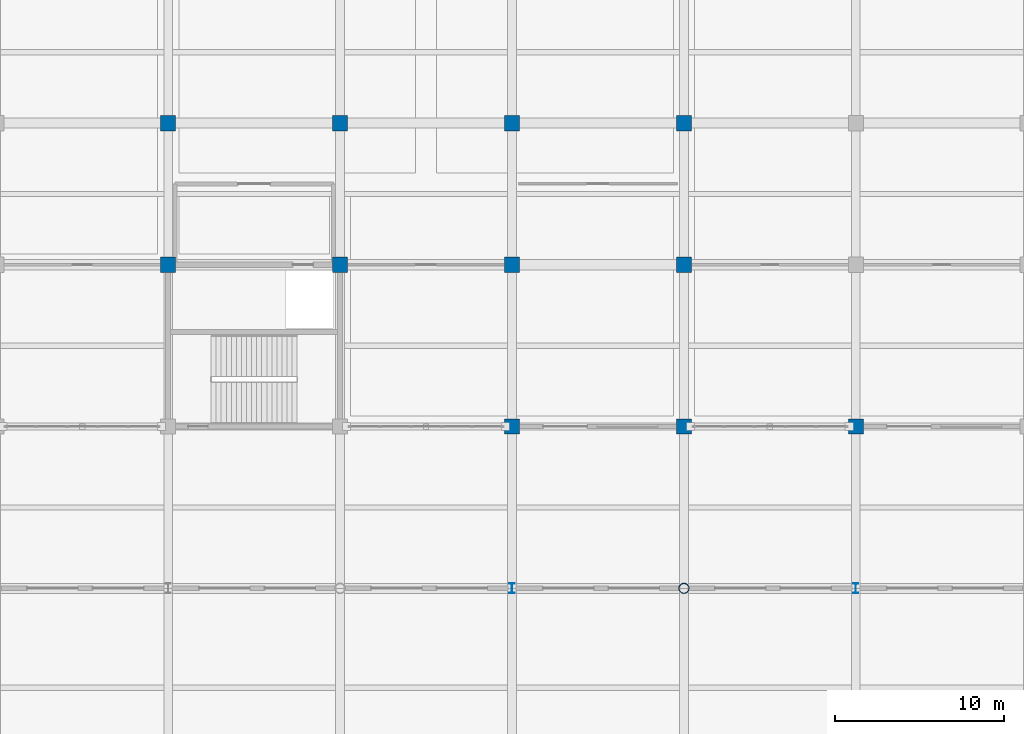
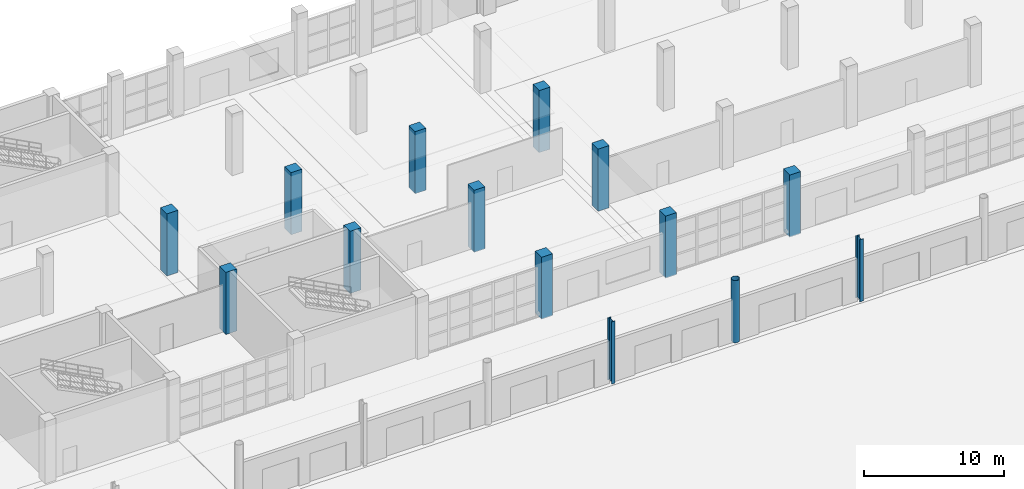
# One storey, part 7 of 124: 14 columns.
"""IFC4 building model written with IfcOpenShell, lengths in metres."""

from ifc_helpers import new_model, si_unit, direction, frame, origin, origin_2d, place, context, subcontext, project, spatial, rectangle, hollow_circle, i_section, extrude, material, material_profile, profile_set, type_object, element, save


model = new_model("IFC4")

# Units and contexts
model_context = context("Model", 3, precision=1e-05, world=origin(), true_north=direction((0.0, 1.0)))
body_context = subcontext(model_context, "Body", "Model", "MODEL_VIEW")
ifc_project = project(units=[si_unit("LENGTHUNIT", "METRE"), si_unit("AREAUNIT", "SQUARE_METRE"), si_unit("VOLUMEUNIT", "CUBIC_METRE"), si_unit("PLANEANGLEUNIT", "RADIAN"), si_unit("MASSUNIT", "GRAM", prefix="KILO")], contexts=[model_context])

# Site, building, storey
site_placement = place(None, origin())
site = spatial("IfcSite", under=ifc_project, at=site_placement, CompositionType="ELEMENT")
building_placement = place(site_placement, origin())
building = spatial("IfcBuilding", under=site, at=building_placement, Name="Brelvane Convention Centre", CompositionType="ELEMENT")
storey_placement = place(building_placement, origin())
storey = spatial("IfcBuildingStorey", under=building, at=storey_placement, Name="L00", CompositionType="ELEMENT", Elevation=0.0)

# Columns
ifc_material_1 = material(Name="Concrete M50", Category="concrete")
ifc_material_profile_1 = material_profile(ifc_material_1, rectangle(XDim=0.89990234375, YDim=0.89990234375, at=origin_2d()), Name="RC 900x900")
ifc_profile_set_1 = profile_set([ifc_material_profile_1], Name="Concrete M50")
column_type_1 = type_object("IfcColumnType", Name="RC Column C-RC2 (RC 900x900)", PredefinedType="COLUMN", material=ifc_profile_set_1)
for number, where, z_axis, x_axis, name in (
    (1, (30.60009765625, 118.800048828125, 0.0), (0.0, 0.0, 1.0), (1.0, 0.0, 0.0), "Column 4-M (L00)"),
    (2, (30.60009765625, 127.199951171875, 0.0), (0.0, 0.0, 1.0), (1.0, 0.0, 0.0), "Column 4-N (L00)"),
    (3, (40.800048828125, 118.800048828125, 0.0), (0.0, 0.0, 1.0), (1.0, 0.0, 0.0), "Column 5-M (L00)"),
    (4, (40.800048828125, 127.199951171875, 0.0), (0.0, 0.0, 1.0), (1.0, 0.0, 0.0), "Column 5-N (L00)"),
    (5, (51.0, 109.199951171875, 0.0), (0.0, 0.0, 1.0), (1.0, 0.0, 0.0), "Column 6-L (L00)"),
    (6, (51.0, 118.800048828125, 0.0), (0.0, 0.0, 1.0), (1.0, 0.0, 0.0), "Column 6-M (L00)"),
    (7, (51.0, 127.199951171875, 0.0), (0.0, 0.0, 1.0), (1.0, 0.0, 0.0), "Column 6-N (L00)"),
    (8, (61.199951171875, 109.199951171875, 0.0), (0.0, 0.0, 1.0), (1.0, 0.0, 0.0), "Column 7-L (L00)"),
    (9, (61.199951171875, 118.800048828125, 0.0), (0.0, 0.0, 1.0), (1.0, 0.0, 0.0), "Column 7-M (L00)"),
    (10, (61.199951171875, 127.199951171875, 0.0), (0.0, 0.0, 1.0), (1.0, 0.0, 0.0), "Column 7-N (L00)"),
    (11, (71.39990234375, 109.199951171875, 0.0), (0.0, 0.0, 1.0), (1.0, 0.0, 0.0), "Column 8-L (L00)"),
):
    element("IfcColumn", number, at=place(storey_placement, frame(where, z_axis=z_axis, x_axis=x_axis)), inside=storey, type_object=column_type_1, Name=name, PredefinedType="COLUMN", context=body_context, shape_type="SweptSolid", body=[
        extrude(rectangle(XDim=0.89990234375, YDim=0.89990234375, at=origin_2d()), origin(), (0.0, 0.0, 1.0), 5.39990234375),
    ])
ifc_material_2 = material(Name="Steel E450 (450 MPa)", Category="steel")
ifc_material_profile_2 = material_profile(ifc_material_2, hollow_circle(Radius=0.304931640625, WallThickness=0.02490234375, at=origin_2d()), Name="CHS 610.0x25.0")
ifc_profile_set_2 = profile_set([ifc_material_profile_2], Name="Steel E450 (450 MPa)")
column_type_2 = type_object("IfcColumnType", Name="Steel Column C-ST1 (CHS 610.0x25.0)", PredefinedType="COLUMN", material=ifc_profile_set_2)
column_placement = place(storey_placement, frame((61.199951171875, 99.60009765625, 0.0), z_axis=(0.0, 0.0, 1.0), x_axis=(1.0, 0.0, 0.0)))
element("IfcColumn", 12, at=column_placement, inside=storey, type_object=column_type_2, Name="Column 7-K (L00)", PredefinedType="COLUMN", context=body_context, shape_type="SweptSolid", body=[
    extrude(hollow_circle(Radius=0.304931640625, WallThickness=0.02490234375, at=origin_2d()), origin(), (0.0, 0.0, 1.0), 5.39990234375),
])
ifc_material_3 = material(Name="Steel E450 (450 MPa)", Category="steel")
ifc_material_profile_3 = material_profile(ifc_material_3, i_section(OverallWidth=0.300048828125, OverallDepth=0.60009765625, WebThickness=0.015380859375, FlangeThickness=0.030029296875, FilletRadius=0.027099609375, at=origin_2d()), Name="WPB 600x300")
ifc_profile_set_3 = profile_set([ifc_material_profile_3], Name="Steel E450 (450 MPa)")
column_type_3 = type_object("IfcColumnType", Name="Steel Column C-ST5 (WPB 600x300)", PredefinedType="COLUMN", material=ifc_profile_set_3)
for number, where, z_axis, x_axis, name in (
    (13, (51.0, 99.60009765625, 0.0), (0.0, 0.0, 1.0), (1.0, 0.0, 0.0), "Column 6-K (L00)"),
    (14, (71.39990234375, 99.60009765625, 0.0), (0.0, 0.0, 1.0), (1.0, 0.0, 0.0), "Column 8-K (L00)"),
):
    element("IfcColumn", number, at=place(storey_placement, frame(where, z_axis=z_axis, x_axis=x_axis)), inside=storey, type_object=column_type_3, Name=name, PredefinedType="COLUMN", context=body_context, shape_type="SweptSolid", body=[
        extrude(i_section(OverallWidth=0.300048828125, OverallDepth=0.60009765625, WebThickness=0.015380859375, FlangeThickness=0.030029296875, FilletRadius=0.027099609375, at=origin_2d()), origin(), (0.0, 0.0, 1.0), 5.39990234375),
    ])

save(model, "model.ifc")
